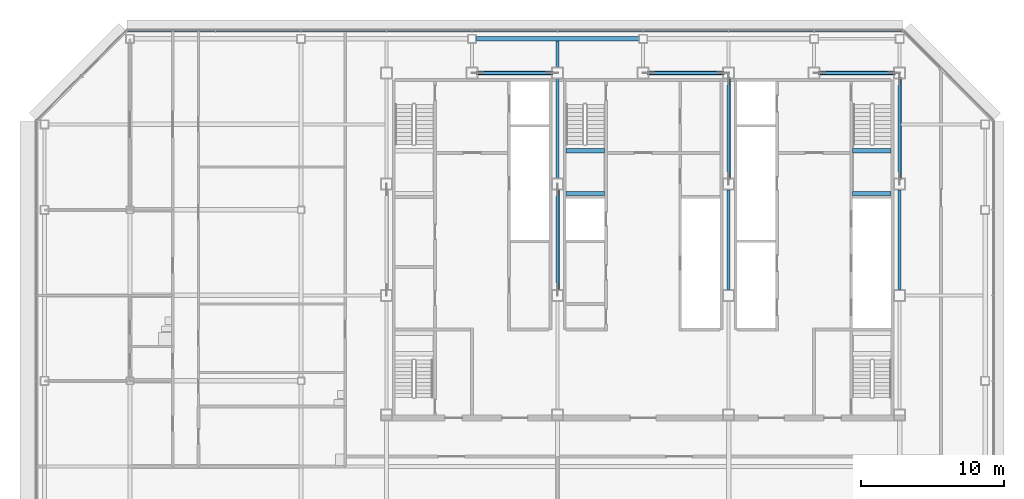
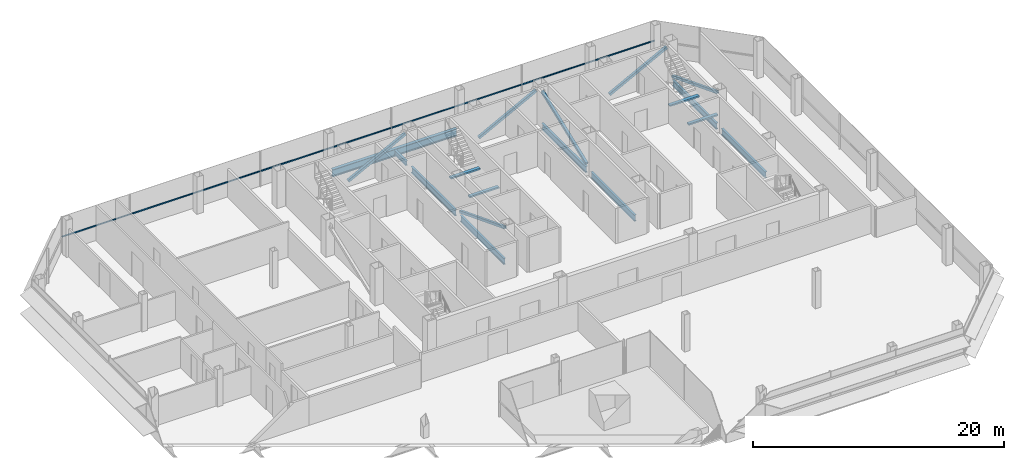
# One storey, part 14 of 27: 12 beams, 7 members, 1 element without a shape of its own.
"""IFC4 building model written with IfcOpenShell, lengths in metres."""

from ifc_helpers import new_model, si_unit, direction, frame, origin, origin_2d, place, context, subcontext, project, spatial, rectangle, hollow_rectangle, i_section, extrude, material, material_profile, profile_set, type_object, element, aggregate, save


model = new_model("IFC4")

# Units and contexts
model_context = context("Model", 3, precision=1e-05, world=origin(), true_north=direction((0.0, 1.0)))
body_context = subcontext(model_context, "Body", "Model", "MODEL_VIEW")
ifc_project = project(units=[si_unit("LENGTHUNIT", "METRE"), si_unit("AREAUNIT", "SQUARE_METRE"), si_unit("VOLUMEUNIT", "CUBIC_METRE"), si_unit("PLANEANGLEUNIT", "RADIAN"), si_unit("MASSUNIT", "GRAM", prefix="KILO")], contexts=[model_context])

# Site, building, storey
site_placement = place(None, origin())
site = spatial("IfcSite", under=ifc_project, at=site_placement, CompositionType="ELEMENT")
building_placement = place(site_placement, origin())
building = spatial("IfcBuilding", under=site, at=building_placement, Name="Sorahane Residences", CompositionType="ELEMENT")
storey_placement = place(building_placement, frame((0.0, 0.0, 298.0)))
storey = spatial("IfcBuildingStorey", under=building, at=storey_placement, Name="L70", CompositionType="ELEMENT", Elevation=298.0)

# Members
ifc_material_1 = material(Name="Steel Q355B", Category="steel")
ifc_material_profile_1 = material_profile(ifc_material_1, hollow_rectangle(XDim=0.25, YDim=0.25, WallThickness=0.013916015625, InnerFilletRadius=0.007080078125, OuterFilletRadius=0.02099609375, at=origin_2d()), Name="RHS 250x250x14")
ifc_profile_set_1 = profile_set([ifc_material_profile_1], Name="Steel Q355B")
member_type_1 = type_object("IfcMemberType", Name="Core brace RHS 250x250x14 Q355B", PredefinedType="BRACE", material=ifc_profile_set_1)
for number, where, z_axis, x_axis, name in (
    (1, (12.365234375, 45.60009765625, 0.10693359375), (0.886099769192, 0.0, 0.46349455125), (0.0, 1.0, 0.0), "Core brace L70 y45.6-2"),
    (2, (24.365234375, 45.60009765625, 0.10693359375), (0.886099769192, 0.0, 0.46349455125), (0.0, 1.0, 0.0), "Core brace L70 y45.6-4"),
    (3, (36.365234375, 45.60009765625, 0.10693359375), (0.886099769192, 0.0, 0.46349455125), (0.0, 1.0, 0.0), "Core brace L70 y45.6-6"),
):
    element("IfcMember", number, at=place(storey_placement, frame(where, z_axis=z_axis, x_axis=x_axis)), inside=storey, type_object=member_type_1, Name=name, PredefinedType="BRACE", context=body_context, shape_type="SweptSolid", body=[
        extrude(hollow_rectangle(XDim=0.25, YDim=0.25, WallThickness=0.013916015625, InnerFilletRadius=0.007080078125, OuterFilletRadius=0.02099609375, at=origin_2d()), origin(), (0.0, 0.0, 1.0), 5.94677734375),
    ])
for number, where, z_axis, x_axis, name in (
    (4, (42.0, 45.22705078125, 0.114501953125), (0.0, -0.932108763247, 0.362178482902), (1.0, 0.0, 0.0), "Core brace L70 x42-3"),
    (5, (18.0, 37.42724609375, 0.114501953125), (0.0, -0.932112994653, 0.362167592697), (1.0, 0.0, 0.0), "Core brace L70 x18-1"),
    (6, (30.0, 38.1728515625, 0.114501953125), (0.0, 0.932108763247, 0.362178482902), (-1.0, 0.0, 0.0), "Core brace L70 x30-2"),
):
    element("IfcMember", number, at=place(storey_placement, frame(where, z_axis=z_axis, x_axis=x_axis)), inside=storey, type_object=member_type_1, Name=name, PredefinedType="BRACE", context=body_context, shape_type="SweptSolid", body=[
        extrude(hollow_rectangle(XDim=0.25, YDim=0.25, WallThickness=0.013916015625, InnerFilletRadius=0.007080078125, OuterFilletRadius=0.02099609375, at=origin_2d()), origin(), (0.0, 0.0, 1.0), 7.568115234375),
    ])

# Curtain wall, member
ifc_material_2 = material(Name="Dark low-e glass and black anodised aluminium", Category="aluminium")
curtain_wall_type = type_object("IfcCurtainWallType", Name="Curtain wall CW-1 Typical unitised wall", PredefinedType="NOTDEFINED", material=ifc_material_2)
curtain_wall_placement = place(storey_placement, origin())
curtain_wall = element("IfcCurtainWall", 7, at=curtain_wall_placement, inside=storey, type_object=curtain_wall_type, Name="CW-1 curtain wall L70 N1", PredefinedType="NOTDEFINED")
ifc_material_3 = material(Name="Black anodised aluminium", Category="aluminium")
ifc_material_profile_2 = material_profile(ifc_material_3, rectangle(XDim=0.10009765625, YDim=0.06005859375, at=origin_2d()), Name="Curtain wall transom CW-1 black anodised aluminium 60x100")
ifc_profile_set_2 = profile_set([ifc_material_profile_2], Name="Black anodised aluminium")
member_type_2 = type_object("IfcMemberType", Name="Curtain wall transom CW-1 black anodised aluminium 60x100", PredefinedType="USERDEFINED", material=ifc_profile_set_2)
member_placement = place(storey_placement, frame((42.198486328125, 48.530029296875, 1.5), z_axis=(-1.0, 0.0, 0.0), x_axis=(0.0, -1.0, 0.0)))
member = element("IfcMember", 8, at=member_placement, type_object=member_type_2, Name="CW-1 transom L70 N1", ObjectType="TRANSOM", PredefinedType="USERDEFINED", context=body_context, shape_type="SweptSolid", body=[
    extrude(rectangle(XDim=0.10009765625, YDim=0.06005859375, at=origin_2d()), origin(), (0.0, 0.0, 1.0), 54.39697265625),
])
aggregate(curtain_wall, [member])

# Beams
ifc_material_4 = material(Name="Concrete C40", Category="concrete")
ifc_material_profile_3 = material_profile(ifc_material_4, rectangle(XDim=0.300048828125, YDim=0.139892578125, at=origin_2d()), Name="300x140")
ifc_profile_set_3 = profile_set([ifc_material_profile_3], Name="Concrete C40")
beam_type_1 = type_object("IfcBeamType", Name="RC landing beam 300 x 140 Concrete C40", PredefinedType="BEAM", material=ifc_profile_set_3)
for number, where, z_axis, x_axis, name in (
    (9, (38.699951171875, 37.14990234375, 1.530029296875), (1.0, 0.0, 0.0), (0.0, 1.0, 0.0), "Landing beam"),
    (10, (38.699951171875, 40.14990234375, 1.530029296875), (1.0, 0.0, 0.0), (0.0, 1.0, 0.0), "Landing beam"),
    (11, (18.60009765625, 37.14990234375, 1.530029296875), (1.0, 0.0, 0.0), (0.0, 1.0, 0.0), "Landing beam"),
    (12, (18.60009765625, 40.14990234375, 1.530029296875), (1.0, 0.0, 0.0), (0.0, 1.0, 0.0), "Landing beam"),
):
    element("IfcBeam", number, at=place(storey_placement, frame(where, z_axis=z_axis, x_axis=x_axis)), inside=storey, type_object=beam_type_1, Name=name, PredefinedType="BEAM", context=body_context, shape_type="SweptSolid", body=[
        extrude(rectangle(XDim=0.300048828125, YDim=0.139892578125, at=origin_2d()), origin(), (0.0, 0.0, 1.0), 2.699951171875),
    ])
ifc_material_5 = material(Name="Steel Q355B", Category="steel")
ifc_material_profile_4 = material_profile(ifc_material_5, i_section(OverallWidth=0.199951171875, OverallDepth=0.449951171875, WebThickness=0.009033203125, FlangeThickness=0.013916015625, FilletRadius=0.02001953125, at=origin_2d()), Name="HN 450x200x9x14")
ifc_profile_set_4 = profile_set([ifc_material_profile_4], Name="Steel Q355B")
beam_type_2 = type_object("IfcBeamType", Name="Steel floor beam HN 450x200x9x14 Q355B", PredefinedType="BEAM", material=ifc_profile_set_4)
beam_1_placement = place(storey_placement, frame((18.0, 46.0, -0.405029296875), z_axis=(0.0, 1.0, 0.0), x_axis=(-1.0, 0.0, 0.0)))
element("IfcBeam", 13, at=beam_1_placement, inside=storey, type_object=beam_type_2, Name="Beam L70 043", PredefinedType="BEAM", context=body_context, shape_type="SweptSolid", body=[
    extrude(i_section(OverallWidth=0.199951171875, OverallDepth=0.449951171875, WebThickness=0.009033203125, FlangeThickness=0.013916015625, FilletRadius=0.02001953125, at=origin_2d()), origin(), (0.0, 0.0, 1.0), 1.85009765625),
])
ifc_material_6 = material(Name="Steel Q355B", Category="steel")
ifc_material_profile_5 = material_profile(ifc_material_6, i_section(OverallWidth=0.199951171875, OverallDepth=0.60009765625, WebThickness=0.010986328125, FlangeThickness=0.01708984375, FilletRadius=0.02392578125, at=origin_2d()), Name="HN 600x200x11x17")
ifc_profile_set_5 = profile_set([ifc_material_profile_5], Name="Steel Q355B")
beam_type_3 = type_object("IfcBeamType", Name="Steel floor beam HN 600x200x11x17 Q355B", PredefinedType="BEAM", material=ifc_profile_set_5)
for number, where, z_axis, x_axis, name in (
    (14, (18.0, 30.39990234375, -0.47998046875), (0.0, 1.0, 0.0), (-1.0, 0.0, 0.0), "Beam L70 041"),
    (15, (18.0, 38.199951171875, -0.47998046875), (0.0, 1.0, 0.0), (-1.0, 0.0, 0.0), "Beam L70 042"),
    (16, (30.0, 30.39990234375, -0.47998046875), (0.0, 1.0, 0.0), (-1.0, 0.0, 0.0), "Beam L70 049"),
    (17, (30.0, 38.199951171875, -0.47998046875), (0.0, 1.0, 0.0), (-1.0, 0.0, 0.0), "Beam L70 050"),
    (18, (42.0, 30.39990234375, -0.47998046875), (0.0, 1.0, 0.0), (-1.0, 0.0, 0.0), "Beam L70 057"),
    (19, (42.0, 38.199951171875, -0.47998046875), (0.0, 1.0, 0.0), (-1.0, 0.0, 0.0), "Beam L70 058"),
):
    element("IfcBeam", number, at=place(storey_placement, frame(where, z_axis=z_axis, x_axis=x_axis)), inside=storey, type_object=beam_type_3, Name=name, PredefinedType="BEAM", context=body_context, shape_type="SweptSolid", body=[
        extrude(i_section(OverallWidth=0.199951171875, OverallDepth=0.60009765625, WebThickness=0.010986328125, FlangeThickness=0.01708984375, FilletRadius=0.02392578125, at=origin_2d()), origin(), (0.0, 0.0, 1.0), 7.0),
    ])
ifc_material_7 = material(Name="Steel Q355B", Category="steel")
ifc_material_profile_6 = material_profile(ifc_material_7, i_section(OverallWidth=0.300048828125, OverallDepth=0.699951171875, WebThickness=0.012939453125, FlangeThickness=0.02392578125, FilletRadius=0.028076171875, at=origin_2d()), Name="HN 700x300x13x24")
ifc_profile_set_6 = profile_set([ifc_material_profile_6], Name="Steel Q355B")
beam_type_4 = type_object("IfcBeamType", Name="Steel floor beam HN 700x300x13x24 Q355B", PredefinedType="BEAM", material=ifc_profile_set_6)
beam_2_placement = place(storey_placement, frame((12.300048828125, 48.0, -0.530029296875), z_axis=(1.0, 0.0, 0.0), x_axis=(0.0, 1.0, 0.0)))
element("IfcBeam", 20, at=beam_2_placement, inside=storey, type_object=beam_type_4, Name="Beam L70 017", PredefinedType="BEAM", context=body_context, shape_type="SweptSolid", body=[
    extrude(i_section(OverallWidth=0.300048828125, OverallDepth=0.699951171875, WebThickness=0.012939453125, FlangeThickness=0.02392578125, FilletRadius=0.028076171875, at=origin_2d()), origin(), (0.0, 0.0, 1.0), 11.39990234375),
])

save(model, "model.ifc")
